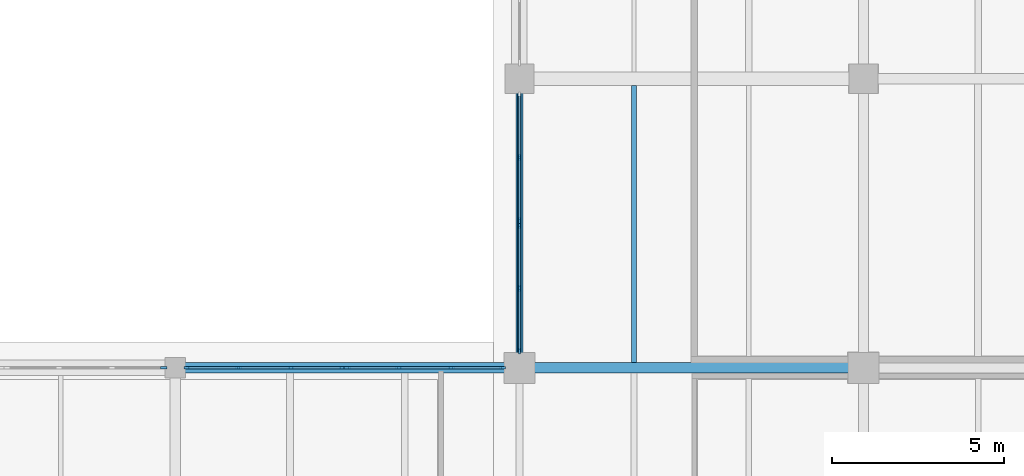
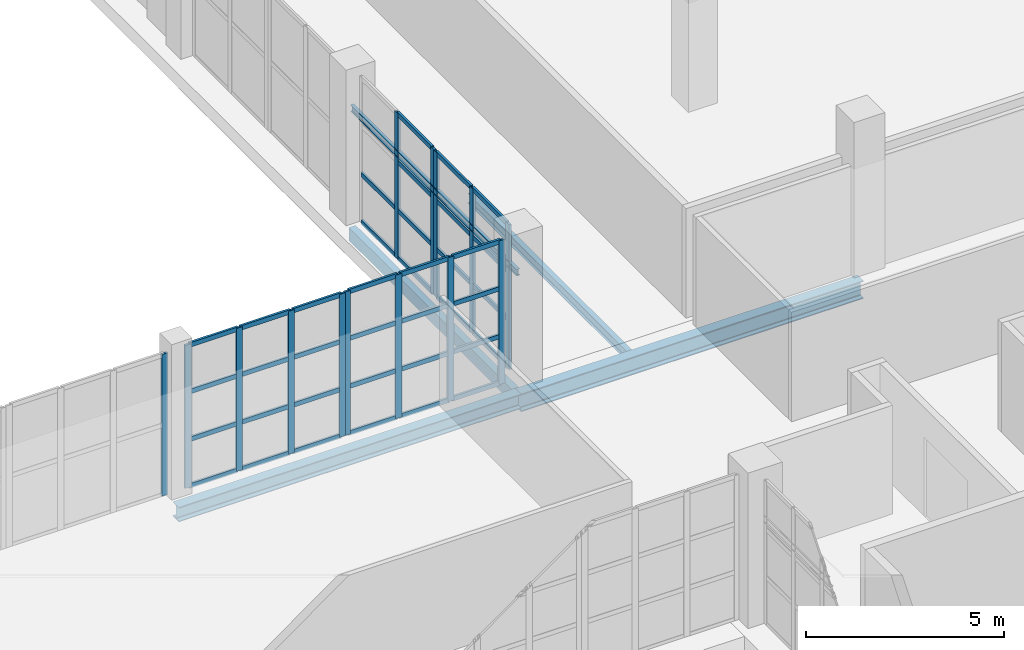
# One storey, part 34 of 121: 52 members, 5 beams, 5 elements without a shape of their own.
"""IFC4 building model written with IfcOpenShell, lengths in metres."""

import ifcopenshell
import ifcopenshell.guid

model = None  # the IFC model being written
_history = None  # IfcOwnerHistory: only IFC2X3 demands one
_inside = {}  # id of a spatial element -> (the spatial element, [elements in it])
_under = {}  # id of a project, library or spatial element -> (it, [spatial elements below it])
_declared = {}  # id of a project -> (the project, [libraries it declares])
_typed = {}  # id of a type object -> (the type object, [elements of that type])
_made_of = {}  # id of a material, layer set ... -> (it, [elements and type objects made of it])


def new_model(schema):
    """Start an empty IFC model of exactly this schema.

    Asked for "IFC4X3", IfcOpenShell would pick the latest addendum, in which some entities
    have other attributes; the version numbers below select the first issue.
    IFC2X3 requires an IfcOwnerHistory on every rooted entity: one is made here for all.
    """
    global model, _history
    if schema == "IFC4X3":
        model = ifcopenshell.file(schema_version=(4, 3, 0, 0))
    else:
        model = ifcopenshell.file(schema=schema)
    _inside.clear()
    _under.clear()
    _declared.clear()
    _typed.clear()
    _made_of.clear()
    _history = None
    if model.schema == "IFC2X3":
        org = make("IfcOrganization", Name="unknown")
        user = make(
            "IfcPersonAndOrganization",
            ThePerson=make("IfcPerson", FamilyName="unknown"),
            TheOrganization=org,
        )
        app = make(
            "IfcApplication",
            ApplicationDeveloper=org,
            Version="unknown",
            ApplicationFullName="unknown",
            ApplicationIdentifier="unknown",
        )
        _history = make(
            "IfcOwnerHistory",
            OwningUser=user,
            OwningApplication=app,
            ChangeAction="ADDED",
            CreationDate=0,
        )
    return model


def make(cls, **values):
    """One entity of the class cls with the attributes given. An attribute that is None is left unset."""
    return model.create_entity(
        cls, **{name: value for name, value in values.items() if value is not None}
    )


def rooted(cls, **values):
    """An entity with a GlobalId (a new one), such as an element, a storey or a relation."""
    return make(cls, GlobalId=ifcopenshell.guid.new(), OwnerHistory=_history, **values)


def si_unit(unit_type, name, prefix=None):
    """IfcSIUnit, for example si_unit("LENGTHUNIT", "METRE", prefix="MILLI")."""
    return make("IfcSIUnit", UnitType=unit_type, Prefix=prefix, Name=name)


def assignment(units):
    """IfcUnitAssignment: the units of a project."""
    return None if units is None else make("IfcUnitAssignment", Units=units)


def point(xyz):
    """IfcCartesianPoint."""
    return None if xyz is None else make("IfcCartesianPoint", Coordinates=xyz)


def direction(xyz):
    """IfcDirection."""
    return None if xyz is None else make("IfcDirection", DirectionRatios=xyz)


def frame(location, z_axis=None, x_axis=None):
    """IfcAxis2Placement3D, a coordinate frame: its origin and axes. An axis left out is left unset."""
    return make(
        "IfcAxis2Placement3D",
        Location=point(location),
        Axis=direction(z_axis),
        RefDirection=direction(x_axis),
    )


def frame_2d(location, x_axis=None):
    """IfcAxis2Placement2D, a coordinate frame in the plane: its origin and x axis."""
    return make(
        "IfcAxis2Placement2D", Location=point(location), RefDirection=direction(x_axis)
    )


def origin():
    """The frame at (0, 0, 0) with its axes left unset."""
    return frame((0.0, 0.0, 0.0))


def origin_2d():
    """The frame at (0, 0) in the plane with its x axis left unset."""
    return frame_2d((0.0, 0.0))


def place(relative_to, where):
    """IfcLocalPlacement: puts the frame where relative to a parent placement (None: the world)."""
    return make(
        "IfcLocalPlacement", PlacementRelTo=relative_to, RelativePlacement=where
    )


def context(
    kind, dimensions, precision=None, world=None, true_north=None, identifier=None
):
    """IfcGeometricRepresentationContext, for example the 3D "Model" context."""
    return make(
        "IfcGeometricRepresentationContext",
        ContextIdentifier=identifier,
        ContextType=kind,
        CoordinateSpaceDimension=dimensions,
        Precision=precision,
        WorldCoordinateSystem=world,
        TrueNorth=true_north,
    )


def subcontext(parent, identifier, kind, view, scale=None):
    """IfcGeometricRepresentationSubContext, for example "Body" below "Model"."""
    return make(
        "IfcGeometricRepresentationSubContext",
        ContextIdentifier=identifier,
        ContextType=kind,
        ParentContext=parent,
        TargetScale=scale,
        TargetView=view,
    )


def project(units=None, contexts=None):
    """IfcProject with its units and contexts."""
    return rooted(
        "IfcProject",
        Name="project",
        RepresentationContexts=contexts,
        UnitsInContext=assignment(units),
    )


def spatial(cls, under=None, at=None, **own):
    """A site, building, storey or space (cls), placed at a placement, below another one or the project."""
    s = rooted(cls, ObjectPlacement=at, **own)
    if under is not None:
        _under.setdefault(under.id(), (under, []))[1].append(s)
    return s


def profile(cls, at=None, kind="AREA", **sizes):
    """A parametric profile (cls). Its sizes go by their IFC names, for example OverallWidth=200.0."""
    return make(cls, ProfileType=kind, Position=at, **sizes)


def rectangle(**sizes):
    """IfcRectangleProfileDef."""
    return profile("IfcRectangleProfileDef", **sizes)


def hollow_rectangle(**sizes):
    """IfcRectangleHollowProfileDef."""
    return profile("IfcRectangleHollowProfileDef", **sizes)


def i_section(**sizes):
    """IfcIShapeProfileDef."""
    return profile("IfcIShapeProfileDef", **sizes)


def extrude(swept, where, along, depth):
    """IfcExtrudedAreaSolid: the profile swept, set in the frame where, extruded along a direction by depth."""
    return make(
        "IfcExtrudedAreaSolid",
        SweptArea=swept,
        Position=where,
        ExtrudedDirection=direction(along),
        Depth=depth,
    )


def shape(context_of_items, identifier, shape_type, items):
    """IfcShapeRepresentation: the items that make up one representation, for example the "Body"."""
    return make(
        "IfcShapeRepresentation",
        ContextOfItems=context_of_items,
        RepresentationIdentifier=identifier,
        RepresentationType=shape_type,
        Items=items,
    )


def material(Name=None, Category=None):
    """IfcMaterial."""
    return make("IfcMaterial", Name=Name, Category=Category)


def layer(
    of_material, thickness, ventilated=None, Name=None, Category=None, Priority=None
):
    """IfcMaterialLayer: one layer of a wall or slab, of a material (None: an air gap)."""
    return make(
        "IfcMaterialLayer",
        Material=of_material,
        LayerThickness=thickness,
        IsVentilated=ventilated,
        Name=Name,
        Category=Category,
        Priority=Priority,
    )


def layer_set(layers, Name=None):
    """IfcMaterialLayerSet."""
    return make("IfcMaterialLayerSet", MaterialLayers=layers, LayerSetName=Name)


def material_profile(
    of_material, cross_section, Name=None, Category=None, Priority=None
):
    """IfcMaterialProfile: a cross section and its material."""
    return make(
        "IfcMaterialProfile",
        Name=Name,
        Material=of_material,
        Profile=cross_section,
        Priority=Priority,
        Category=Category,
    )


def profile_set(profiles, Name=None, composite=None):
    """IfcMaterialProfileSet."""
    return make(
        "IfcMaterialProfileSet",
        Name=Name,
        MaterialProfiles=profiles,
        CompositeProfile=composite,
    )


def made_of(thing, what):
    """Note that an element or type object is made of a material, layer set ...; save() writes the relation."""
    if what is not None:
        _made_of.setdefault(what.id(), (what, []))[1].append(thing)
    return thing


def type_object(cls, material=None, **own):
    """A type object (cls), such as IfcWallType, which elements share."""
    return made_of(rooted(cls, **own), material)


def element(
    cls,
    number,
    at=None,
    inside=None,
    cuts=None,
    type_object=None,
    material=None,
    context=None,
    identifier="Body",
    shape_type=None,
    held_by="IfcProductDefinitionShape",
    body=None,
    shapes=None,
    **own,
):
    """One element of the class cls, such as IfcWall. Its Tag is "e" and its number.

    at: its placement. inside: the storey or other place that contains it. cuts: it is an
    opening in that element (IfcRelVoidsElement). A single representation is given by context,
    identifier, shape_type and body (its items); several are given by shapes. held_by: the class
    of the entity that holds the representations. save() writes the other relations.
    """
    e = rooted(cls, Tag="e%d" % number, ObjectPlacement=at, **own)
    if body is not None:
        shapes = [shape(context, identifier, shape_type, body)]
    if shapes is not None:
        e.Representation = make(held_by, Representations=shapes)
    if inside is not None:
        _inside.setdefault(inside.id(), (inside, []))[1].append(e)
    if cuts is not None:
        rooted(
            "IfcRelVoidsElement", RelatingBuildingElement=cuts, RelatedOpeningElement=e
        )
    if type_object is not None:
        _typed.setdefault(type_object.id(), (type_object, []))[1].append(e)
    return made_of(e, material)


def aggregate(whole, parts):
    """IfcRelAggregates: a whole, such as a stair, and the parts it consists of."""
    return rooted("IfcRelAggregates", RelatingObject=whole, RelatedObjects=parts)


def save(model, path):
    """Write the relations noted so far, then the file.

    IfcRelAggregates (storeys below a building ...), IfcRelContainedInSpatialStructure (elements
    in a storey), IfcRelDefinesByType, IfcRelAssociatesMaterial and IfcRelDeclares: one each for
    every whole, place, type object, material and project.
    """
    for whole, parts in _under.values():
        aggregate(whole, parts)
    for where, things in _inside.values():
        rooted(
            "IfcRelContainedInSpatialStructure",
            RelatedElements=things,
            RelatingStructure=where,
        )
    for kind, things in _typed.values():
        rooted("IfcRelDefinesByType", RelatedObjects=things, RelatingType=kind)
    for what, things in _made_of.values():
        rooted("IfcRelAssociatesMaterial", RelatedObjects=things, RelatingMaterial=what)
    for by, libraries in _declared.values():
        rooted("IfcRelDeclares", RelatingContext=by, RelatedDefinitions=libraries)
    model.write(path)


model = new_model("IFC4")

# Units and contexts
model_context = context("Model", 3, precision=1e-05, world=origin(), true_north=direction((0.0, 1.0)))
body_context = subcontext(model_context, "Body", "Model", "MODEL_VIEW")
ifc_project = project(units=[si_unit("LENGTHUNIT", "METRE"), si_unit("AREAUNIT", "SQUARE_METRE"), si_unit("VOLUMEUNIT", "CUBIC_METRE"), si_unit("PLANEANGLEUNIT", "RADIAN"), si_unit("MASSUNIT", "GRAM", prefix="KILO")], contexts=[model_context])

# Site, building, storey
site_placement = place(None, origin())
site = spatial("IfcSite", under=ifc_project, at=site_placement, CompositionType="ELEMENT")
building_placement = place(site_placement, origin())
building = spatial("IfcBuilding", under=site, at=building_placement, Name="Zereglee Splitstone Museum", CompositionType="ELEMENT")
storey_placement = place(building_placement, origin())
storey = spatial("IfcBuildingStorey", under=building, at=storey_placement, Name="L00", CompositionType="ELEMENT", Elevation=0.0)

# Curtain wall, members
ifc_material_1 = material(Name="Triple-glazed low-E argon glass and bronze-anodised aluminium", Category="aluminium")
ifc_layer_1 = layer(ifc_material_1, 0.179931640625)
ifc_layer_set_1 = layer_set([ifc_layer_1], Name="Triple-glazed low-E argon glass and bronze-anodised aluminium")
curtain_wall_type_1 = type_object("IfcCurtainWallType", Name="CW-0371-450", PredefinedType="USERDEFINED", material=ifc_layer_set_1)
curtain_wall_1_placement = place(storey_placement, origin())
curtain_wall_1 = element("IfcCurtainWall", 1, at=curtain_wall_1_placement, inside=storey, type_object=curtain_wall_type_1, Name="Glazed Curtain Wall CW-0371-450 (L00)", ObjectType="GLAZED CURTAIN WALL", PredefinedType="USERDEFINED")
ifc_material_2 = material(Name="Thermally broken bronze-anodised aluminium", Category="aluminium")
ifc_material_profile_1 = material_profile(ifc_material_2, rectangle(XDim=0.06494140625, YDim=0.179931640625, at=origin_2d()), Name="CW MULL 65x180")
ifc_profile_set_1 = profile_set([ifc_material_profile_1], Name="Thermally broken bronze-anodised aluminium")
member_type_1 = type_object("IfcMemberType", Name="CWM-01", PredefinedType="MULLION", material=ifc_profile_set_1)
member_1_placement = place(storey_placement, frame((175.199951171875, 27.709716796875, 0.0), z_axis=(0.0, 0.0, 1.0), x_axis=(1.0, 0.0, 0.0)))
member_1 = element("IfcMember", 2, at=member_1_placement, type_object=member_type_1, Name="CW-0371-450 mullion 2", PredefinedType="MULLION", context=body_context, shape_type="SweptSolid", body=[
    extrude(rectangle(XDim=0.06494140625, YDim=0.179931640625, at=origin_2d()), origin(), (0.0, 0.0, 1.0), 4.5),
])
member_2_placement = place(storey_placement, frame((175.199951171875, 25.885009765625, 0.0), z_axis=(0.0, 0.0, 1.0), x_axis=(1.0, 0.0, 0.0)))
member_2 = element("IfcMember", 3, at=member_2_placement, type_object=member_type_1, Name="CW-0371-450 mullion 3", PredefinedType="MULLION", context=body_context, shape_type="SweptSolid", body=[
    extrude(rectangle(XDim=0.06494140625, YDim=0.179931640625, at=origin_2d()), origin(), (0.0, 0.0, 1.0), 4.5),
])

ifc_layer_2 = layer(ifc_material_1, 0.179931640625)
ifc_layer_set_2 = layer_set([ifc_layer_2], Name="Triple-glazed low-E argon glass and bronze-anodised aluminium")
curtain_wall_type_2 = type_object("IfcCurtainWallType", Name="CW-0371-448", PredefinedType="USERDEFINED", material=ifc_layer_set_2)
curtain_wall_2_placement = place(storey_placement, origin())
curtain_wall_2 = element("IfcCurtainWall", 4, at=curtain_wall_2_placement, inside=storey, type_object=curtain_wall_type_2, Name="Glazed Curtain Wall CW-0371-448 (L00)", ObjectType="GLAZED CURTAIN WALL", PredefinedType="USERDEFINED")
member_3_placement = place(storey_placement, frame((175.199951171875, 25.739990234375, 0.0), z_axis=(0.0, 0.0, 1.0), x_axis=(1.0, 0.0, 0.0)))
member_3 = element("IfcMember", 5, at=member_3_placement, type_object=member_type_1, Name="CW-0371-448 mullion 1", PredefinedType="MULLION", context=body_context, shape_type="SweptSolid", body=[
    extrude(rectangle(XDim=0.06494140625, YDim=0.179931640625, at=origin_2d()), origin(), (0.0, 0.0, 1.0), 4.47998046875),
])
member_4_placement = place(storey_placement, frame((175.199951171875, 23.915283203125, 0.0), z_axis=(0.0, 0.0, 1.0), x_axis=(1.0, 0.0, 0.0)))
member_4 = element("IfcMember", 6, at=member_4_placement, type_object=member_type_1, Name="CW-0371-448 mullion 2", PredefinedType="MULLION", context=body_context, shape_type="SweptSolid", body=[
    extrude(rectangle(XDim=0.06494140625, YDim=0.179931640625, at=origin_2d()), origin(), (0.0, 0.0, 1.0), 4.47998046875),
])
member_5_placement = place(storey_placement, frame((175.199951171875, 22.090576171875, 0.0), z_axis=(0.0, 0.0, 1.0), x_axis=(1.0, 0.0, 0.0)))
member_5 = element("IfcMember", 7, at=member_5_placement, type_object=member_type_1, Name="CW-0371-448 mullion 3", PredefinedType="MULLION", context=body_context, shape_type="SweptSolid", body=[
    extrude(rectangle(XDim=0.06494140625, YDim=0.179931640625, at=origin_2d()), origin(), (0.0, 0.0, 1.0), 4.47998046875),
])

ifc_layer_3 = layer(ifc_material_1, 0.179931640625)
ifc_layer_set_3 = layer_set([ifc_layer_3], Name="Triple-glazed low-E argon glass and bronze-anodised aluminium")
curtain_wall_type_3 = type_object("IfcCurtainWallType", Name="CW-0458-444", PredefinedType="USERDEFINED", material=ifc_layer_set_3)
curtain_wall_3_placement = place(storey_placement, origin())
curtain_wall_3 = element("IfcCurtainWall", 8, at=curtain_wall_3_placement, inside=storey, type_object=curtain_wall_type_3, Name="Glazed Curtain Wall CW-0458-444 (L00)", ObjectType="GLAZED CURTAIN WALL", PredefinedType="USERDEFINED")
member_6_placement = place(storey_placement, frame((174.70947265625, 21.60009765625, 0.0), z_axis=(0.0, 0.0, 1.0), x_axis=(0.0, -1.0, 0.0)))
member_6 = element("IfcMember", 9, at=member_6_placement, type_object=member_type_1, Name="CW-0458-444 mullion 1", PredefinedType="MULLION", context=body_context, shape_type="SweptSolid", body=[
    extrude(rectangle(XDim=0.06494140625, YDim=0.179931640625, at=origin_2d()), origin(), (0.0, 0.0, 1.0), 4.43994140625),
])
member_7_placement = place(storey_placement, frame((173.21630859375, 21.60009765625, 0.0), z_axis=(0.0, 0.0, 1.0), x_axis=(0.0, -1.0, 0.0)))
member_7 = element("IfcMember", 10, at=member_7_placement, type_object=member_type_1, Name="CW-0458-444 mullion 2", PredefinedType="MULLION", context=body_context, shape_type="SweptSolid", body=[
    extrude(rectangle(XDim=0.06494140625, YDim=0.179931640625, at=origin_2d()), origin(), (0.0, 0.0, 1.0), 4.43994140625),
])
member_8_placement = place(storey_placement, frame((171.690673828125, 21.60009765625, 0.0), z_axis=(0.0, 0.0, 1.0), x_axis=(0.0, -1.0, 0.0)))
member_8 = element("IfcMember", 11, at=member_8_placement, type_object=member_type_1, Name="CW-0458-444 mullion 3", PredefinedType="MULLION", context=body_context, shape_type="SweptSolid", body=[
    extrude(rectangle(XDim=0.06494140625, YDim=0.179931640625, at=origin_2d()), origin(), (0.0, 0.0, 1.0), 4.43994140625),
])
member_9_placement = place(storey_placement, frame((170.197509765625, 21.60009765625, 0.0), z_axis=(0.0, 0.0, 1.0), x_axis=(0.0, -1.0, 0.0)))
member_9 = element("IfcMember", 12, at=member_9_placement, type_object=member_type_1, Name="CW-0458-444 mullion 4", PredefinedType="MULLION", context=body_context, shape_type="SweptSolid", body=[
    extrude(rectangle(XDim=0.06494140625, YDim=0.179931640625, at=origin_2d()), origin(), (0.0, 0.0, 1.0), 4.43994140625),
])

ifc_layer_4 = layer(ifc_material_1, 0.179931640625)
ifc_layer_set_4 = layer_set([ifc_layer_4], Name="Triple-glazed low-E argon glass and bronze-anodised aluminium")
curtain_wall_type_4 = type_object("IfcCurtainWallType", Name="CW-0458-442", PredefinedType="USERDEFINED", material=ifc_layer_set_4)
curtain_wall_4_placement = place(storey_placement, origin())
curtain_wall_4 = element("IfcCurtainWall", 13, at=curtain_wall_4_placement, inside=storey, type_object=curtain_wall_type_4, Name="Glazed Curtain Wall CW-0458-442 (L00)", ObjectType="GLAZED CURTAIN WALL", PredefinedType="USERDEFINED")
member_10_placement = place(storey_placement, frame((170.052490234375, 21.60009765625, 0.0), z_axis=(0.0, 0.0, 1.0), x_axis=(0.0, -1.0, 0.0)))
member_10 = element("IfcMember", 14, at=member_10_placement, type_object=member_type_1, Name="CW-0458-442 mullion 1", PredefinedType="MULLION", context=body_context, shape_type="SweptSolid", body=[
    extrude(rectangle(XDim=0.06494140625, YDim=0.179931640625, at=origin_2d()), origin(), (0.0, 0.0, 1.0), 4.419921875),
])
member_11_placement = place(storey_placement, frame((168.559326171875, 21.60009765625, 0.0), z_axis=(0.0, 0.0, 1.0), x_axis=(0.0, -1.0, 0.0)))
member_11 = element("IfcMember", 15, at=member_11_placement, type_object=member_type_1, Name="CW-0458-442 mullion 2", PredefinedType="MULLION", context=body_context, shape_type="SweptSolid", body=[
    extrude(rectangle(XDim=0.06494140625, YDim=0.179931640625, at=origin_2d()), origin(), (0.0, 0.0, 1.0), 4.419921875),
])
member_12_placement = place(storey_placement, frame((167.03369140625, 21.60009765625, 0.0), z_axis=(0.0, 0.0, 1.0), x_axis=(0.0, -1.0, 0.0)))
member_12 = element("IfcMember", 16, at=member_12_placement, type_object=member_type_1, Name="CW-0458-442 mullion 3", PredefinedType="MULLION", context=body_context, shape_type="SweptSolid", body=[
    extrude(rectangle(XDim=0.06494140625, YDim=0.179931640625, at=origin_2d()), origin(), (0.0, 0.0, 1.0), 4.419921875),
])
member_13_placement = place(storey_placement, frame((165.54052734375, 21.60009765625, 0.0), z_axis=(0.0, 0.0, 1.0), x_axis=(0.0, -1.0, 0.0)))
member_13 = element("IfcMember", 17, at=member_13_placement, type_object=member_type_1, Name="CW-0458-442 mullion 4", PredefinedType="MULLION", context=body_context, shape_type="SweptSolid", body=[
    extrude(rectangle(XDim=0.06494140625, YDim=0.179931640625, at=origin_2d()), origin(), (0.0, 0.0, 1.0), 4.419921875),
])

# Curtain wall, member
ifc_layer_5 = layer(ifc_material_1, 0.179931640625)
ifc_layer_set_5 = layer_set([ifc_layer_5], Name="Triple-glazed low-E argon glass and bronze-anodised aluminium")
curtain_wall_type_5 = type_object("IfcCurtainWallType", Name="CW-0461-438", PredefinedType="USERDEFINED", material=ifc_layer_set_5)
curtain_wall_5_placement = place(storey_placement, origin())
curtain_wall_5 = element("IfcCurtainWall", 18, at=curtain_wall_5_placement, inside=storey, type_object=curtain_wall_type_5, Name="Glazed Curtain Wall CW-0461-438 (L00)", ObjectType="GLAZED CURTAIN WALL", PredefinedType="USERDEFINED")
member_14_placement = place(storey_placement, frame((164.859619140625, 21.60009765625, 0.0), z_axis=(0.0, 0.0, 1.0), x_axis=(0.0, -1.0, 0.0)))
member_14 = element("IfcMember", 19, at=member_14_placement, type_object=member_type_1, Name="CW-0461-438 mullion 1", PredefinedType="MULLION", context=body_context, shape_type="SweptSolid", body=[
    extrude(rectangle(XDim=0.06494140625, YDim=0.179931640625, at=origin_2d()), origin(), (0.0, 0.0, 1.0), 4.3798828125),
])
aggregate(curtain_wall_5, [member_14])

# Member
ifc_material_profile_2 = material_profile(ifc_material_2, rectangle(XDim=0.06494140625, YDim=0.139892578125, at=origin_2d()), Name="CW TRAN 65x140")
ifc_profile_set_2 = profile_set([ifc_material_profile_2], Name="Thermally broken bronze-anodised aluminium")
member_type_2 = type_object("IfcMemberType", Name="CWT-01", PredefinedType="USERDEFINED", material=ifc_profile_set_2)
member_15_placement = place(storey_placement, frame((175.199951171875, 29.501953125, 0.032470703125), z_axis=(0.0, -1.0, 0.0), x_axis=(1.0, 0.0, 0.0)))
member_15 = element("IfcMember", 20, at=member_15_placement, type_object=member_type_2, Name="CW-0371-450 transom 1.1", ObjectType="TRANSOM", PredefinedType="USERDEFINED", context=body_context, shape_type="SweptSolid", body=[
    extrude(rectangle(XDim=0.06494140625, YDim=0.139892578125, at=origin_2d()), origin(), (0.0, 0.0, 1.0), 1.759765625),
])

member_16_placement = place(storey_placement, frame((175.199951171875, 29.501953125, 1.5), z_axis=(0.0, -1.0, 0.0), x_axis=(1.0, 0.0, 0.0)))
member_16 = element("IfcMember", 21, at=member_16_placement, type_object=member_type_2, Name="CW-0371-450 transom 1.2", ObjectType="TRANSOM", PredefinedType="USERDEFINED", context=body_context, shape_type="SweptSolid", body=[
    extrude(rectangle(XDim=0.06494140625, YDim=0.139892578125, at=origin_2d()), origin(), (0.0, 0.0, 1.0), 1.759765625),
])

member_17_placement = place(storey_placement, frame((175.199951171875, 27.67724609375, 0.032470703125), z_axis=(0.0, -1.0, 0.0), x_axis=(1.0, 0.0, 0.0)))
member_17 = element("IfcMember", 22, at=member_17_placement, type_object=member_type_2, Name="CW-0371-450 transom 2.1", ObjectType="TRANSOM", PredefinedType="USERDEFINED", context=body_context, shape_type="SweptSolid", body=[
    extrude(rectangle(XDim=0.06494140625, YDim=0.139892578125, at=origin_2d()), origin(), (0.0, 0.0, 1.0), 1.759765625),
])

member_18_placement = place(storey_placement, frame((175.199951171875, 27.67724609375, 1.5), z_axis=(0.0, -1.0, 0.0), x_axis=(1.0, 0.0, 0.0)))
member_18 = element("IfcMember", 23, at=member_18_placement, type_object=member_type_2, Name="CW-0371-450 transom 2.2", ObjectType="TRANSOM", PredefinedType="USERDEFINED", context=body_context, shape_type="SweptSolid", body=[
    extrude(rectangle(XDim=0.06494140625, YDim=0.139892578125, at=origin_2d()), origin(), (0.0, 0.0, 1.0), 1.759765625),
])

member_19_placement = place(storey_placement, frame((175.199951171875, 27.67724609375, 3.0), z_axis=(0.0, -1.0, 0.0), x_axis=(1.0, 0.0, 0.0)))
member_19 = element("IfcMember", 24, at=member_19_placement, type_object=member_type_2, Name="CW-0371-450 transom 2.3", ObjectType="TRANSOM", PredefinedType="USERDEFINED", context=body_context, shape_type="SweptSolid", body=[
    extrude(rectangle(XDim=0.06494140625, YDim=0.139892578125, at=origin_2d()), origin(), (0.0, 0.0, 1.0), 1.759765625),
])

member_20_placement = place(storey_placement, frame((175.199951171875, 27.67724609375, 4.467529296875), z_axis=(0.0, -1.0, 0.0), x_axis=(1.0, 0.0, 0.0)))
member_20 = element("IfcMember", 25, at=member_20_placement, type_object=member_type_2, Name="CW-0371-450 transom 2.4", ObjectType="TRANSOM", PredefinedType="USERDEFINED", context=body_context, shape_type="SweptSolid", body=[
    extrude(rectangle(XDim=0.06494140625, YDim=0.139892578125, at=origin_2d()), origin(), (0.0, 0.0, 1.0), 1.759765625),
])

aggregate(curtain_wall_1, [member_1, member_2, member_15, member_16, member_17, member_18, member_19, member_20])

member_21_placement = place(storey_placement, frame((175.199951171875, 25.70751953125, 0.032470703125), z_axis=(0.0, -1.0, 0.0), x_axis=(1.0, 0.0, 0.0)))
member_21 = element("IfcMember", 26, at=member_21_placement, type_object=member_type_2, Name="CW-0371-448 transom 1.1", ObjectType="TRANSOM", PredefinedType="USERDEFINED", context=body_context, shape_type="SweptSolid", body=[
    extrude(rectangle(XDim=0.06494140625, YDim=0.139892578125, at=origin_2d()), origin(), (0.0, 0.0, 1.0), 1.759765625),
])

member_22_placement = place(storey_placement, frame((175.199951171875, 25.70751953125, 1.493408203125), z_axis=(0.0, -1.0, 0.0), x_axis=(1.0, 0.0, 0.0)))
member_22 = element("IfcMember", 27, at=member_22_placement, type_object=member_type_2, Name="CW-0371-448 transom 1.2", ObjectType="TRANSOM", PredefinedType="USERDEFINED", context=body_context, shape_type="SweptSolid", body=[
    extrude(rectangle(XDim=0.06494140625, YDim=0.139892578125, at=origin_2d()), origin(), (0.0, 0.0, 1.0), 1.759765625),
])

member_23_placement = place(storey_placement, frame((175.199951171875, 25.70751953125, 2.98681640625), z_axis=(0.0, -1.0, 0.0), x_axis=(1.0, 0.0, 0.0)))
member_23 = element("IfcMember", 28, at=member_23_placement, type_object=member_type_2, Name="CW-0371-448 transom 1.3", ObjectType="TRANSOM", PredefinedType="USERDEFINED", context=body_context, shape_type="SweptSolid", body=[
    extrude(rectangle(XDim=0.06494140625, YDim=0.139892578125, at=origin_2d()), origin(), (0.0, 0.0, 1.0), 1.759765625),
])

member_24_placement = place(storey_placement, frame((175.199951171875, 25.70751953125, 4.447509765625), z_axis=(0.0, -1.0, 0.0), x_axis=(1.0, 0.0, 0.0)))
member_24 = element("IfcMember", 29, at=member_24_placement, type_object=member_type_2, Name="CW-0371-448 transom 1.4", ObjectType="TRANSOM", PredefinedType="USERDEFINED", context=body_context, shape_type="SweptSolid", body=[
    extrude(rectangle(XDim=0.06494140625, YDim=0.139892578125, at=origin_2d()), origin(), (0.0, 0.0, 1.0), 1.759765625),
])

member_25_placement = place(storey_placement, frame((175.199951171875, 23.8828125, 0.032470703125), z_axis=(0.0, -1.0, 0.0), x_axis=(1.0, 0.0, 0.0)))
member_25 = element("IfcMember", 30, at=member_25_placement, type_object=member_type_2, Name="CW-0371-448 transom 2.1", ObjectType="TRANSOM", PredefinedType="USERDEFINED", context=body_context, shape_type="SweptSolid", body=[
    extrude(rectangle(XDim=0.06494140625, YDim=0.139892578125, at=origin_2d()), origin(), (0.0, 0.0, 1.0), 1.759765625),
])

member_26_placement = place(storey_placement, frame((175.199951171875, 23.8828125, 1.493408203125), z_axis=(0.0, -1.0, 0.0), x_axis=(1.0, 0.0, 0.0)))
member_26 = element("IfcMember", 31, at=member_26_placement, type_object=member_type_2, Name="CW-0371-448 transom 2.2", ObjectType="TRANSOM", PredefinedType="USERDEFINED", context=body_context, shape_type="SweptSolid", body=[
    extrude(rectangle(XDim=0.06494140625, YDim=0.139892578125, at=origin_2d()), origin(), (0.0, 0.0, 1.0), 1.759765625),
])

member_27_placement = place(storey_placement, frame((175.199951171875, 23.8828125, 2.98681640625), z_axis=(0.0, -1.0, 0.0), x_axis=(1.0, 0.0, 0.0)))
member_27 = element("IfcMember", 32, at=member_27_placement, type_object=member_type_2, Name="CW-0371-448 transom 2.3", ObjectType="TRANSOM", PredefinedType="USERDEFINED", context=body_context, shape_type="SweptSolid", body=[
    extrude(rectangle(XDim=0.06494140625, YDim=0.139892578125, at=origin_2d()), origin(), (0.0, 0.0, 1.0), 1.759765625),
])

member_28_placement = place(storey_placement, frame((175.199951171875, 23.8828125, 4.447509765625), z_axis=(0.0, -1.0, 0.0), x_axis=(1.0, 0.0, 0.0)))
member_28 = element("IfcMember", 33, at=member_28_placement, type_object=member_type_2, Name="CW-0371-448 transom 2.4", ObjectType="TRANSOM", PredefinedType="USERDEFINED", context=body_context, shape_type="SweptSolid", body=[
    extrude(rectangle(XDim=0.06494140625, YDim=0.139892578125, at=origin_2d()), origin(), (0.0, 0.0, 1.0), 1.759765625),
])

aggregate(curtain_wall_2, [member_3, member_4, member_5, member_21, member_22, member_23, member_24, member_25, member_26, member_27, member_28])

member_29_placement = place(storey_placement, frame((174.677001953125, 21.60009765625, 0.032470703125), z_axis=(-1.0, 0.0, 0.0), x_axis=(0.0, -1.0, 0.0)))
member_29 = element("IfcMember", 34, at=member_29_placement, type_object=member_type_2, Name="CW-0458-444 transom 1.1", ObjectType="TRANSOM", PredefinedType="USERDEFINED", context=body_context, shape_type="SweptSolid", body=[
    extrude(rectangle(XDim=0.06494140625, YDim=0.139892578125, at=origin_2d()), origin(), (0.0, 0.0, 1.0), 1.42822265625),
])

member_30_placement = place(storey_placement, frame((174.677001953125, 21.60009765625, 1.47998046875), z_axis=(-1.0, 0.0, 0.0), x_axis=(0.0, -1.0, 0.0)))
member_30 = element("IfcMember", 35, at=member_30_placement, type_object=member_type_2, Name="CW-0458-444 transom 1.2", ObjectType="TRANSOM", PredefinedType="USERDEFINED", context=body_context, shape_type="SweptSolid", body=[
    extrude(rectangle(XDim=0.06494140625, YDim=0.139892578125, at=origin_2d()), origin(), (0.0, 0.0, 1.0), 1.42822265625),
])

member_31_placement = place(storey_placement, frame((174.677001953125, 21.60009765625, 2.9599609375), z_axis=(-1.0, 0.0, 0.0), x_axis=(0.0, -1.0, 0.0)))
member_31 = element("IfcMember", 36, at=member_31_placement, type_object=member_type_2, Name="CW-0458-444 transom 1.3", ObjectType="TRANSOM", PredefinedType="USERDEFINED", context=body_context, shape_type="SweptSolid", body=[
    extrude(rectangle(XDim=0.06494140625, YDim=0.139892578125, at=origin_2d()), origin(), (0.0, 0.0, 1.0), 1.42822265625),
])

member_32_placement = place(storey_placement, frame((174.677001953125, 21.60009765625, 4.407470703125), z_axis=(-1.0, 0.0, 0.0), x_axis=(0.0, -1.0, 0.0)))
member_32 = element("IfcMember", 37, at=member_32_placement, type_object=member_type_2, Name="CW-0458-444 transom 1.4", ObjectType="TRANSOM", PredefinedType="USERDEFINED", context=body_context, shape_type="SweptSolid", body=[
    extrude(rectangle(XDim=0.06494140625, YDim=0.139892578125, at=origin_2d()), origin(), (0.0, 0.0, 1.0), 1.42822265625),
])

member_33_placement = place(storey_placement, frame((173.183837890625, 21.60009765625, 0.032470703125), z_axis=(-1.0, 0.0, 0.0), x_axis=(0.0, -1.0, 0.0)))
member_33 = element("IfcMember", 38, at=member_33_placement, type_object=member_type_2, Name="CW-0458-444 transom 2.1", ObjectType="TRANSOM", PredefinedType="USERDEFINED", context=body_context, shape_type="SweptSolid", body=[
    extrude(rectangle(XDim=0.06494140625, YDim=0.139892578125, at=origin_2d()), origin(), (0.0, 0.0, 1.0), 1.460693359375),
])

member_34_placement = place(storey_placement, frame((173.183837890625, 21.60009765625, 1.47998046875), z_axis=(-1.0, 0.0, 0.0), x_axis=(0.0, -1.0, 0.0)))
member_34 = element("IfcMember", 39, at=member_34_placement, type_object=member_type_2, Name="CW-0458-444 transom 2.2", ObjectType="TRANSOM", PredefinedType="USERDEFINED", context=body_context, shape_type="SweptSolid", body=[
    extrude(rectangle(XDim=0.06494140625, YDim=0.139892578125, at=origin_2d()), origin(), (0.0, 0.0, 1.0), 1.460693359375),
])

member_35_placement = place(storey_placement, frame((173.183837890625, 21.60009765625, 2.9599609375), z_axis=(-1.0, 0.0, 0.0), x_axis=(0.0, -1.0, 0.0)))
member_35 = element("IfcMember", 40, at=member_35_placement, type_object=member_type_2, Name="CW-0458-444 transom 2.3", ObjectType="TRANSOM", PredefinedType="USERDEFINED", context=body_context, shape_type="SweptSolid", body=[
    extrude(rectangle(XDim=0.06494140625, YDim=0.139892578125, at=origin_2d()), origin(), (0.0, 0.0, 1.0), 1.460693359375),
])

member_36_placement = place(storey_placement, frame((173.183837890625, 21.60009765625, 4.407470703125), z_axis=(-1.0, 0.0, 0.0), x_axis=(0.0, -1.0, 0.0)))
member_36 = element("IfcMember", 41, at=member_36_placement, type_object=member_type_2, Name="CW-0458-444 transom 2.4", ObjectType="TRANSOM", PredefinedType="USERDEFINED", context=body_context, shape_type="SweptSolid", body=[
    extrude(rectangle(XDim=0.06494140625, YDim=0.139892578125, at=origin_2d()), origin(), (0.0, 0.0, 1.0), 1.460693359375),
])

member_37_placement = place(storey_placement, frame((171.658203125, 21.60009765625, 0.032470703125), z_axis=(-1.0, 0.0, 0.0), x_axis=(0.0, -1.0, 0.0)))
member_37 = element("IfcMember", 42, at=member_37_placement, type_object=member_type_2, Name="CW-0458-444 transom 3.1", ObjectType="TRANSOM", PredefinedType="USERDEFINED", context=body_context, shape_type="SweptSolid", body=[
    extrude(rectangle(XDim=0.06494140625, YDim=0.139892578125, at=origin_2d()), origin(), (0.0, 0.0, 1.0), 1.42822265625),
])

member_38_placement = place(storey_placement, frame((171.658203125, 21.60009765625, 1.47998046875), z_axis=(-1.0, 0.0, 0.0), x_axis=(0.0, -1.0, 0.0)))
member_38 = element("IfcMember", 43, at=member_38_placement, type_object=member_type_2, Name="CW-0458-444 transom 3.2", ObjectType="TRANSOM", PredefinedType="USERDEFINED", context=body_context, shape_type="SweptSolid", body=[
    extrude(rectangle(XDim=0.06494140625, YDim=0.139892578125, at=origin_2d()), origin(), (0.0, 0.0, 1.0), 1.42822265625),
])

member_39_placement = place(storey_placement, frame((171.658203125, 21.60009765625, 2.9599609375), z_axis=(-1.0, 0.0, 0.0), x_axis=(0.0, -1.0, 0.0)))
member_39 = element("IfcMember", 44, at=member_39_placement, type_object=member_type_2, Name="CW-0458-444 transom 3.3", ObjectType="TRANSOM", PredefinedType="USERDEFINED", context=body_context, shape_type="SweptSolid", body=[
    extrude(rectangle(XDim=0.06494140625, YDim=0.139892578125, at=origin_2d()), origin(), (0.0, 0.0, 1.0), 1.42822265625),
])

member_40_placement = place(storey_placement, frame((171.658203125, 21.60009765625, 4.407470703125), z_axis=(-1.0, 0.0, 0.0), x_axis=(0.0, -1.0, 0.0)))
member_40 = element("IfcMember", 45, at=member_40_placement, type_object=member_type_2, Name="CW-0458-444 transom 3.4", ObjectType="TRANSOM", PredefinedType="USERDEFINED", context=body_context, shape_type="SweptSolid", body=[
    extrude(rectangle(XDim=0.06494140625, YDim=0.139892578125, at=origin_2d()), origin(), (0.0, 0.0, 1.0), 1.42822265625),
])

aggregate(curtain_wall_3, [member_6, member_7, member_8, member_9, member_29, member_30, member_31, member_32, member_33, member_34, member_35, member_36, member_37, member_38, member_39, member_40])

member_41_placement = place(storey_placement, frame((170.02001953125, 21.60009765625, 0.032470703125), z_axis=(-1.0, 0.0, 0.0), x_axis=(0.0, -1.0, 0.0)))
member_41 = element("IfcMember", 46, at=member_41_placement, type_object=member_type_2, Name="CW-0458-442 transom 1.1", ObjectType="TRANSOM", PredefinedType="USERDEFINED", context=body_context, shape_type="SweptSolid", body=[
    extrude(rectangle(XDim=0.06494140625, YDim=0.139892578125, at=origin_2d()), origin(), (0.0, 0.0, 1.0), 1.42822265625),
])

member_42_placement = place(storey_placement, frame((170.02001953125, 21.60009765625, 1.473388671875), z_axis=(-1.0, 0.0, 0.0), x_axis=(0.0, -1.0, 0.0)))
member_42 = element("IfcMember", 47, at=member_42_placement, type_object=member_type_2, Name="CW-0458-442 transom 1.2", ObjectType="TRANSOM", PredefinedType="USERDEFINED", context=body_context, shape_type="SweptSolid", body=[
    extrude(rectangle(XDim=0.06494140625, YDim=0.139892578125, at=origin_2d()), origin(), (0.0, 0.0, 1.0), 1.42822265625),
])

member_43_placement = place(storey_placement, frame((170.02001953125, 21.60009765625, 2.94677734375), z_axis=(-1.0, 0.0, 0.0), x_axis=(0.0, -1.0, 0.0)))
member_43 = element("IfcMember", 48, at=member_43_placement, type_object=member_type_2, Name="CW-0458-442 transom 1.3", ObjectType="TRANSOM", PredefinedType="USERDEFINED", context=body_context, shape_type="SweptSolid", body=[
    extrude(rectangle(XDim=0.06494140625, YDim=0.139892578125, at=origin_2d()), origin(), (0.0, 0.0, 1.0), 1.42822265625),
])

member_44_placement = place(storey_placement, frame((170.02001953125, 21.60009765625, 4.387451171875), z_axis=(-1.0, 0.0, 0.0), x_axis=(0.0, -1.0, 0.0)))
member_44 = element("IfcMember", 49, at=member_44_placement, type_object=member_type_2, Name="CW-0458-442 transom 1.4", ObjectType="TRANSOM", PredefinedType="USERDEFINED", context=body_context, shape_type="SweptSolid", body=[
    extrude(rectangle(XDim=0.06494140625, YDim=0.139892578125, at=origin_2d()), origin(), (0.0, 0.0, 1.0), 1.42822265625),
])

member_45_placement = place(storey_placement, frame((168.52685546875, 21.60009765625, 0.032470703125), z_axis=(-1.0, 0.0, 0.0), x_axis=(0.0, -1.0, 0.0)))
member_45 = element("IfcMember", 50, at=member_45_placement, type_object=member_type_2, Name="CW-0458-442 transom 2.1", ObjectType="TRANSOM", PredefinedType="USERDEFINED", context=body_context, shape_type="SweptSolid", body=[
    extrude(rectangle(XDim=0.06494140625, YDim=0.139892578125, at=origin_2d()), origin(), (0.0, 0.0, 1.0), 1.460693359375),
])

member_46_placement = place(storey_placement, frame((168.52685546875, 21.60009765625, 1.473388671875), z_axis=(-1.0, 0.0, 0.0), x_axis=(0.0, -1.0, 0.0)))
member_46 = element("IfcMember", 51, at=member_46_placement, type_object=member_type_2, Name="CW-0458-442 transom 2.2", ObjectType="TRANSOM", PredefinedType="USERDEFINED", context=body_context, shape_type="SweptSolid", body=[
    extrude(rectangle(XDim=0.06494140625, YDim=0.139892578125, at=origin_2d()), origin(), (0.0, 0.0, 1.0), 1.460693359375),
])

member_47_placement = place(storey_placement, frame((168.52685546875, 21.60009765625, 2.94677734375), z_axis=(-1.0, 0.0, 0.0), x_axis=(0.0, -1.0, 0.0)))
member_47 = element("IfcMember", 52, at=member_47_placement, type_object=member_type_2, Name="CW-0458-442 transom 2.3", ObjectType="TRANSOM", PredefinedType="USERDEFINED", context=body_context, shape_type="SweptSolid", body=[
    extrude(rectangle(XDim=0.06494140625, YDim=0.139892578125, at=origin_2d()), origin(), (0.0, 0.0, 1.0), 1.460693359375),
])

member_48_placement = place(storey_placement, frame((168.52685546875, 21.60009765625, 4.387451171875), z_axis=(-1.0, 0.0, 0.0), x_axis=(0.0, -1.0, 0.0)))
member_48 = element("IfcMember", 53, at=member_48_placement, type_object=member_type_2, Name="CW-0458-442 transom 2.4", ObjectType="TRANSOM", PredefinedType="USERDEFINED", context=body_context, shape_type="SweptSolid", body=[
    extrude(rectangle(XDim=0.06494140625, YDim=0.139892578125, at=origin_2d()), origin(), (0.0, 0.0, 1.0), 1.460693359375),
])

member_49_placement = place(storey_placement, frame((167.001220703125, 21.60009765625, 0.032470703125), z_axis=(-1.0, 0.0, 0.0), x_axis=(0.0, -1.0, 0.0)))
member_49 = element("IfcMember", 54, at=member_49_placement, type_object=member_type_2, Name="CW-0458-442 transom 3.1", ObjectType="TRANSOM", PredefinedType="USERDEFINED", context=body_context, shape_type="SweptSolid", body=[
    extrude(rectangle(XDim=0.06494140625, YDim=0.139892578125, at=origin_2d()), origin(), (0.0, 0.0, 1.0), 1.42822265625),
])

member_50_placement = place(storey_placement, frame((167.001220703125, 21.60009765625, 1.473388671875), z_axis=(-1.0, 0.0, 0.0), x_axis=(0.0, -1.0, 0.0)))
member_50 = element("IfcMember", 55, at=member_50_placement, type_object=member_type_2, Name="CW-0458-442 transom 3.2", ObjectType="TRANSOM", PredefinedType="USERDEFINED", context=body_context, shape_type="SweptSolid", body=[
    extrude(rectangle(XDim=0.06494140625, YDim=0.139892578125, at=origin_2d()), origin(), (0.0, 0.0, 1.0), 1.42822265625),
])

member_51_placement = place(storey_placement, frame((167.001220703125, 21.60009765625, 2.94677734375), z_axis=(-1.0, 0.0, 0.0), x_axis=(0.0, -1.0, 0.0)))
member_51 = element("IfcMember", 56, at=member_51_placement, type_object=member_type_2, Name="CW-0458-442 transom 3.3", ObjectType="TRANSOM", PredefinedType="USERDEFINED", context=body_context, shape_type="SweptSolid", body=[
    extrude(rectangle(XDim=0.06494140625, YDim=0.139892578125, at=origin_2d()), origin(), (0.0, 0.0, 1.0), 1.42822265625),
])

member_52_placement = place(storey_placement, frame((167.001220703125, 21.60009765625, 4.387451171875), z_axis=(-1.0, 0.0, 0.0), x_axis=(0.0, -1.0, 0.0)))
member_52 = element("IfcMember", 57, at=member_52_placement, type_object=member_type_2, Name="CW-0458-442 transom 3.4", ObjectType="TRANSOM", PredefinedType="USERDEFINED", context=body_context, shape_type="SweptSolid", body=[
    extrude(rectangle(XDim=0.06494140625, YDim=0.139892578125, at=origin_2d()), origin(), (0.0, 0.0, 1.0), 1.42822265625),
])

aggregate(curtain_wall_4, [member_10, member_11, member_12, member_13, member_41, member_42, member_43, member_44, member_45, member_46, member_47, member_48, member_49, member_50, member_51, member_52])

# Beams
ifc_material_3 = material(Name="Steel S355J2", Category="steel")
ifc_material_profile_3 = material_profile(ifc_material_3, i_section(OverallWidth=0.300048828125, OverallDepth=0.550048828125, WebThickness=0.014892578125, FlangeThickness=0.029052734375, FilletRadius=0.027099609375, at=origin_2d()), Name="HE 550 B")
ifc_profile_set_3 = profile_set([ifc_material_profile_3], Name="Steel S355J2")
beam_type_1 = type_object("IfcBeamType", Name="BG-11", PredefinedType="BEAM", material=ifc_profile_set_3)
beam_1_placement = place(storey_placement, frame((175.199951171875, 21.60009765625, -0.695068359375), z_axis=(1.0, 0.0, 0.0), x_axis=(0.0, 1.0, 0.0)))
element("IfcBeam", 58, at=beam_1_placement, inside=storey, type_object=beam_type_1, Name="Primary Girder L00 C (175.2-185.2)", PredefinedType="BEAM", context=body_context, shape_type="SweptSolid", body=[
    extrude(i_section(OverallWidth=0.300048828125, OverallDepth=0.550048828125, WebThickness=0.014892578125, FlangeThickness=0.029052734375, FilletRadius=0.027099609375, at=origin_2d()), origin(), (0.0, 0.0, 1.0), 10.0),
])
ifc_material_profile_4 = material_profile(ifc_material_3, i_section(OverallWidth=0.14990234375, OverallDepth=0.300048828125, WebThickness=0.007080078125, FlangeThickness=0.0107421875, FilletRadius=0.014892578125, at=origin_2d()), Name="IPE 300")
ifc_profile_set_4 = profile_set([ifc_material_profile_4], Name="Steel S355J2")
beam_type_2 = type_object("IfcBeamType", Name="BJ-06", PredefinedType="JOIST", material=ifc_profile_set_4)
beam_2_placement = place(storey_placement, frame((178.533203125, 21.75, -0.570068359375), z_axis=(0.0, 1.0, 0.0), x_axis=(-1.0, 0.0, 0.0)))
element("IfcBeam", 59, at=beam_2_placement, inside=storey, type_object=beam_type_2, Name="Secondary Floor Joist L00-0327", PredefinedType="JOIST", context=body_context, shape_type="SweptSolid", body=[
    extrude(i_section(OverallWidth=0.14990234375, OverallDepth=0.300048828125, WebThickness=0.007080078125, FlangeThickness=0.0107421875, FilletRadius=0.014892578125, at=origin_2d()), origin(), (0.0, 0.0, 1.0), 8.050048828125),
])
ifc_material_profile_5 = material_profile(ifc_material_3, i_section(OverallWidth=0.10009765625, OverallDepth=0.199951171875, WebThickness=0.005615234375, FlangeThickness=0.008544921875, FilletRadius=0.011962890625, at=origin_2d()), Name="IPE 200")
ifc_profile_set_5 = profile_set([ifc_material_profile_5], Name="Steel S355J2")
beam_type_3 = type_object("IfcBeamType", Name="LN-02", PredefinedType="LINTEL", material=ifc_profile_set_5)
beam_3_placement = place(storey_placement, frame((175.199951171875, 21.60009765625, 3.25), z_axis=(0.0, 1.0, 0.0), x_axis=(-1.0, 0.0, 0.0)))
element("IfcBeam", 60, at=beam_3_placement, inside=storey, type_object=beam_type_3, Name="Pishtaq Portal Lintel LNT-10", PredefinedType="LINTEL", context=body_context, shape_type="SweptSolid", body=[
    extrude(i_section(OverallWidth=0.10009765625, OverallDepth=0.199951171875, WebThickness=0.005615234375, FlangeThickness=0.008544921875, FilletRadius=0.011962890625, at=origin_2d()), origin(), (0.0, 0.0, 1.0), 8.39990234375),
])
ifc_material_profile_6 = material_profile(ifc_material_3, i_section(OverallWidth=0.300048828125, OverallDepth=0.449951171875, WebThickness=0.013916015625, FlangeThickness=0.02587890625, FilletRadius=0.027099609375, at=origin_2d()), Name="HE 450 B")
ifc_profile_set_6 = profile_set([ifc_material_profile_6], Name="Steel S355J2")
beam_type_4 = type_object("IfcBeamType", Name="SP-02", PredefinedType="SPANDREL", material=ifc_profile_set_6)
beam_4_placement = place(storey_placement, frame((165.199951171875, 21.60009765625, -0.64501953125), z_axis=(1.0, 0.0, 0.0), x_axis=(0.0, 1.0, 0.0)))
element("IfcBeam", 61, at=beam_4_placement, inside=storey, type_object=beam_type_4, Name="Primary Girder L00 C (165.2-175.2)", PredefinedType="SPANDREL", context=body_context, shape_type="SweptSolid", body=[
    extrude(i_section(OverallWidth=0.300048828125, OverallDepth=0.449951171875, WebThickness=0.013916015625, FlangeThickness=0.02587890625, FilletRadius=0.027099609375, at=origin_2d()), origin(), (0.0, 0.0, 1.0), 10.0),
])
ifc_material_4 = material(Name="Steel S355J2H", Category="steel")
ifc_material_profile_7 = material_profile(ifc_material_4, hollow_rectangle(XDim=0.199951171875, YDim=0.39990234375, WallThickness=0.01611328125, at=origin_2d()), Name="RHS 400x200x16")
ifc_profile_set_7 = profile_set([ifc_material_profile_7], Name="Steel S355J2H")
beam_type_5 = type_object("IfcBeamType", Name="SP-04", PredefinedType="SPANDREL", material=ifc_profile_set_7)
beam_5_placement = place(storey_placement, frame((175.199951171875, 21.60009765625, -0.6201171875), z_axis=(0.0, 1.0, 0.0), x_axis=(-1.0, 0.0, 0.0)))
element("IfcBeam", 62, at=beam_5_placement, inside=storey, type_object=beam_type_5, Name="Primary Girder L00 20 (21.6-30.0)", PredefinedType="SPANDREL", context=body_context, shape_type="SweptSolid", body=[
    extrude(hollow_rectangle(XDim=0.199951171875, YDim=0.39990234375, WallThickness=0.01611328125, at=origin_2d()), origin(), (0.0, 0.0, 1.0), 8.39990234375),
])

save(model, "model.ifc")
